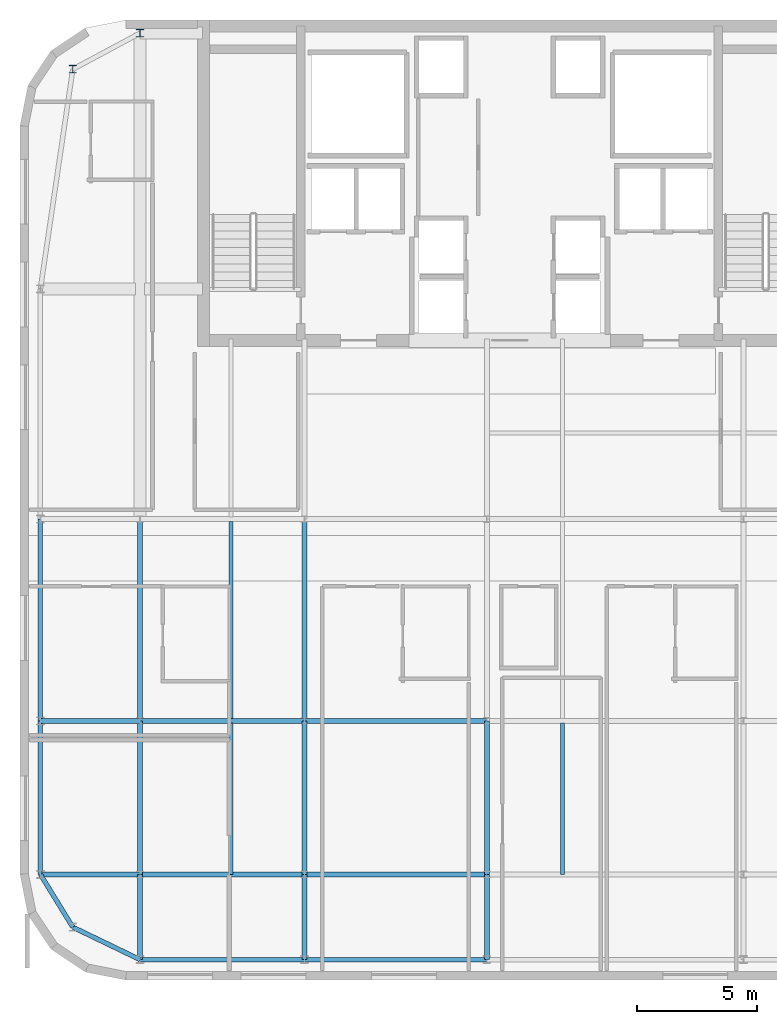
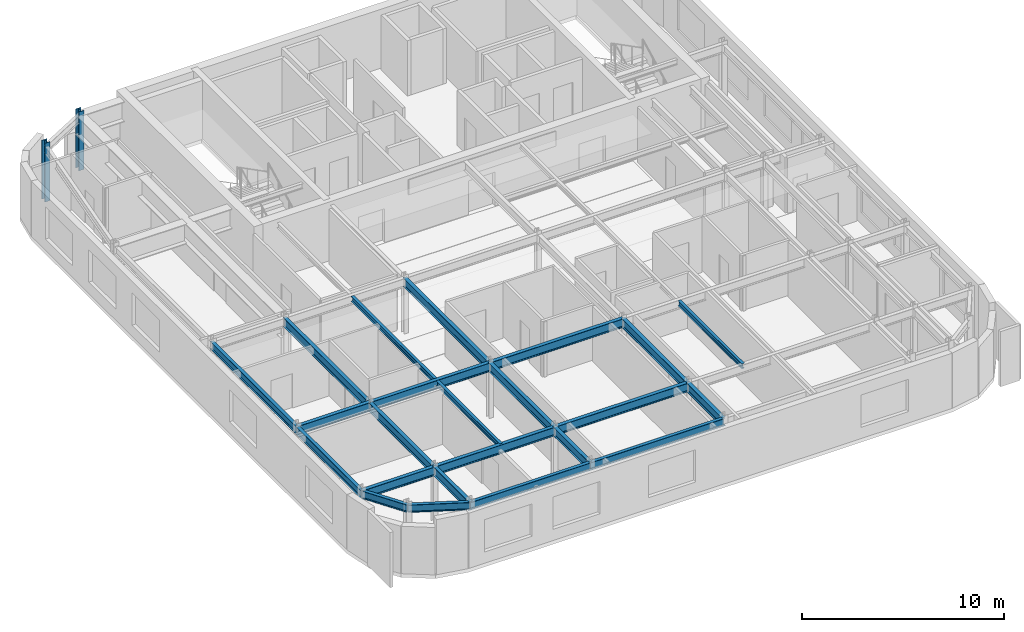
# One storey, part 4 of 12: 23 beams, 2 columns.
"""IFC4 building model written with IfcOpenShell, lengths in metres."""

from ifc_helpers import new_model, si_unit, direction, frame, origin, origin_2d, place, context, subcontext, project, spatial, i_section, extrude, source, transform, mapped, material, material_profile, profile_set, type_object, type_shapes, element, save


model = new_model("IFC4")

# Units and contexts
model_context = context("Model", 3, precision=1e-05, world=origin(), true_north=direction((0.0, 1.0)))
body_context = subcontext(model_context, "Body", "Model", "MODEL_VIEW")
ifc_project = project(units=[si_unit("LENGTHUNIT", "METRE"), si_unit("AREAUNIT", "SQUARE_METRE"), si_unit("VOLUMEUNIT", "CUBIC_METRE"), si_unit("PLANEANGLEUNIT", "RADIAN"), si_unit("MASSUNIT", "GRAM", prefix="KILO")], contexts=[model_context])

# Site, building, storey
site_placement = place(None, origin())
site = spatial("IfcSite", under=ifc_project, at=site_placement, CompositionType="ELEMENT")
building_placement = place(site_placement, origin())
building = spatial("IfcBuilding", under=site, at=building_placement, Name="Tolvann Quenvar Hotel", CompositionType="ELEMENT")
storey_placement = place(building_placement, frame((0.0, 0.0, 275.050048828125)))
storey = spatial("IfcBuildingStorey", under=building, at=storey_placement, Name="L73", CompositionType="ELEMENT", Elevation=275.050048828125)

# Columns
ifc_material = material(Name="Steel Grade 350", Category="steel")
ifc_material_profile_1 = material_profile(ifc_material, i_section(OverallWidth=0.306884765625, OverallDepth=0.31494140625, WebThickness=0.011962890625, FlangeThickness=0.018798828125, FilletRadius=0.0166015625, at=origin_2d()), Name="310UC118")
ifc_profile_set_1 = profile_set([ifc_material_profile_1], Name="Steel Grade 350")
column_type = type_object("IfcColumnType", Name="COL_310UC118", PredefinedType="COLUMN", material=ifc_profile_set_1)
shared_shape_1 = source(origin(), body_context, "Body", "SweptSolid", [
    extrude(i_section(OverallWidth=0.306884765625, OverallDepth=0.31494140625, WebThickness=0.011962890625, FlangeThickness=0.018798828125, FilletRadius=0.0166015625, at=origin_2d()), origin(), (0.0, 0.0, 1.0), 3.550048828125),
])
type_shapes(column_type, [shared_shape_1])
for number, where, z_axis, x_axis, name in (
    (1, (4.800048828125, 43.14990234375, 0.0), (0.0, 0.0, 1.0), (1.0, 0.0, 0.0), "Column BN (L73)"),
    (2, (7.60009765625, 44.64990234375, 0.0), (0.0, 0.0, 1.0), (1.0, 0.0, 0.0), "Column CN (L73)"),
):
    element("IfcColumn", number, at=place(storey_placement, frame(where, z_axis=z_axis, x_axis=x_axis)), inside=storey, type_object=column_type, Name=name, PredefinedType="COLUMN", context=body_context, shape_type="MappedRepresentation", body=[
        mapped(shared_shape_1, transform((0.0, 0.0, 0.0), x_axis=(1.0, 0.0, 0.0), y_axis=(0.0, 1.0, 0.0), z_axis=(0.0, 0.0, 1.0), scale=1.0)),
    ])

# Beams
ifc_material_profile_2 = material_profile(ifc_material, i_section(OverallWidth=0.208984375, OverallDepth=0.532958984375, WebThickness=0.01025390625, FlangeThickness=0.015625, FilletRadius=0.013916015625, at=origin_2d()), Name="530UB92")
ifc_profile_set_2 = profile_set([ifc_material_profile_2], Name="Steel Grade 350")
beam_type_1 = type_object("IfcBeamType", Name="BM_GIRD_530UB92", PredefinedType="BEAM", material=ifc_profile_set_2)
shared_shape_2 = source(origin(), body_context, "Body", "SweptSolid", [
    extrude(i_section(OverallWidth=0.208984375, OverallDepth=0.532958984375, WebThickness=0.01025390625, FlangeThickness=0.015625, FilletRadius=0.013916015625, at=origin_2d()), origin(), (0.0, 0.0, 1.0), 8.39990234375),
])
for number, where, z_axis, x_axis, name in (
    (3, (7.60009765625, 16.0, 3.0634765625), (0.0, 1.0, 0.0), (-1.0, 0.0, 0.0), "BM-L73-NS-C4-C5"),
    (4, (14.449951171875, 16.0, 3.0634765625), (0.0, 1.0, 0.0), (-1.0, 0.0, 0.0), "BM-L73-NS-D4-D5"),
):
    element("IfcBeam", number, at=place(storey_placement, frame(where, z_axis=z_axis, x_axis=x_axis)), inside=storey, type_object=beam_type_1, Name=name, PredefinedType="BEAM", context=body_context, shape_type="MappedRepresentation", body=[
        mapped(shared_shape_2, transform((0.0, 0.0, 0.0), x_axis=(1.0, 0.0, 0.0), y_axis=(0.0, 1.0, 0.0), z_axis=(0.0, 0.0, 1.0), scale=1.0)),
    ])
ifc_material_profile_3 = material_profile(ifc_material, i_section(OverallWidth=0.19091796875, OverallDepth=0.4599609375, WebThickness=0.010009765625, FlangeThickness=0.01611328125, FilletRadius=0.011474609375, at=origin_2d()), Name="460UB82")
ifc_profile_set_3 = profile_set([ifc_material_profile_3], Name="Steel Grade 350")
beam_type_2 = type_object("IfcBeamType", Name="BM_SPAND_460UB82", PredefinedType="SPANDREL", material=ifc_profile_set_3)
shared_shape_3 = source(origin(), body_context, "Body", "SweptSolid", [
    extrude(i_section(OverallWidth=0.19091796875, OverallDepth=0.4599609375, WebThickness=0.010009765625, FlangeThickness=0.01611328125, FilletRadius=0.011474609375, at=origin_2d()), origin(), (0.0, 0.0, 1.0), 8.39990234375),
])
beam_1_placement = place(storey_placement, frame((3.449951171875, 16.0, 3.099853515625), z_axis=(0.0, 1.0, 0.0), x_axis=(-1.0, 0.0, 0.0)))
element("IfcBeam", 5, at=beam_1_placement, inside=storey, type_object=beam_type_2, Name="BM-L73-NS-B4-B5", PredefinedType="SPANDREL", context=body_context, shape_type="MappedRepresentation", body=[
    mapped(shared_shape_3, transform((0.0, 0.0, 0.0), x_axis=(1.0, 0.0, 0.0), y_axis=(0.0, 1.0, 0.0), z_axis=(0.0, 0.0, 1.0), scale=1.0)),
])
shared_shape_4 = source(origin(), body_context, "Body", "SweptSolid", [
    extrude(i_section(OverallWidth=0.19091796875, OverallDepth=0.4599609375, WebThickness=0.010009765625, FlangeThickness=0.01611328125, FilletRadius=0.011474609375, at=origin_2d()), origin(), (0.0, 0.0, 1.0), 6.849853515625),
])
beam_2_placement = place(storey_placement, frame((7.60009765625, 6.050048828125, 3.099853515625), z_axis=(1.0, 0.0, 0.0), x_axis=(0.0, 1.0, 0.0)))
element("IfcBeam", 6, at=beam_2_placement, inside=storey, type_object=beam_type_2, Name="BM-L73-EW-2-C2-D2", PredefinedType="SPANDREL", context=body_context, shape_type="MappedRepresentation", body=[
    mapped(shared_shape_4, transform((0.0, 0.0, 0.0), x_axis=(1.0, 0.0, 0.0), y_axis=(0.0, 1.0, 0.0), z_axis=(0.0, 0.0, 1.0), scale=1.0)),
])
shared_shape_5 = source(origin(), body_context, "Body", "SweptSolid", [
    extrude(i_section(OverallWidth=0.208984375, OverallDepth=0.532958984375, WebThickness=0.01025390625, FlangeThickness=0.015625, FilletRadius=0.013916015625, at=origin_2d()), origin(), (0.0, 0.0, 1.0), 4.150146484375),
])
for number, where, z_axis, x_axis, name in (
    (7, (3.449951171875, 9.60009765625, 3.0634765625), (1.0, 0.0, 0.0), (0.0, 1.0, 0.0), "BM-L73-EW-3-B3-C3"),
    (8, (3.449951171875, 16.0, 3.0634765625), (1.0, 0.0, 0.0), (0.0, 1.0, 0.0), "BM-L73-EW-4-B4-C4"),
):
    element("IfcBeam", number, at=place(storey_placement, frame(where, z_axis=z_axis, x_axis=x_axis)), inside=storey, type_object=beam_type_1, Name=name, PredefinedType="BEAM", context=body_context, shape_type="MappedRepresentation", body=[
        mapped(shared_shape_5, transform((0.0, 0.0, 0.0), x_axis=(1.0, 0.0, 0.0), y_axis=(0.0, 1.0, 0.0), z_axis=(0.0, 0.0, 1.0), scale=1.0)),
    ])
shared_shape_6 = source(origin(), body_context, "Body", "SweptSolid", [
    extrude(i_section(OverallWidth=0.208984375, OverallDepth=0.532958984375, WebThickness=0.01025390625, FlangeThickness=0.015625, FilletRadius=0.013916015625, at=origin_2d()), origin(), (0.0, 0.0, 1.0), 6.849853515625),
])
for number, where, z_axis, x_axis, name in (
    (9, (7.60009765625, 9.60009765625, 3.0634765625), (1.0, 0.0, 0.0), (0.0, 1.0, 0.0), "BM-L73-EW-3-C3-D3"),
    (10, (7.60009765625, 16.0, 3.0634765625), (1.0, 0.0, 0.0), (0.0, 1.0, 0.0), "BM-L73-EW-4-C4-D4"),
):
    element("IfcBeam", number, at=place(storey_placement, frame(where, z_axis=z_axis, x_axis=x_axis)), inside=storey, type_object=beam_type_1, Name=name, PredefinedType="BEAM", context=body_context, shape_type="MappedRepresentation", body=[
        mapped(shared_shape_6, transform((0.0, 0.0, 0.0), x_axis=(1.0, 0.0, 0.0), y_axis=(0.0, 1.0, 0.0), z_axis=(0.0, 0.0, 1.0), scale=1.0)),
    ])
shared_shape_7 = source(origin(), body_context, "Body", "SweptSolid", [
    extrude(i_section(OverallWidth=0.208984375, OverallDepth=0.532958984375, WebThickness=0.01025390625, FlangeThickness=0.015625, FilletRadius=0.013916015625, at=origin_2d()), origin(), (0.0, 0.0, 1.0), 7.60009765625),
])
for number, where, z_axis, x_axis, name in (
    (11, (14.449951171875, 9.60009765625, 3.0634765625), (1.0, 0.0, 0.0), (0.0, 1.0, 0.0), "BM-L73-EW-3-D3-E3"),
    (12, (14.449951171875, 16.0, 3.0634765625), (1.0, 0.0, 0.0), (0.0, 1.0, 0.0), "BM-L73-EW-4-D4-E4"),
):
    element("IfcBeam", number, at=place(storey_placement, frame(where, z_axis=z_axis, x_axis=x_axis)), inside=storey, type_object=beam_type_1, Name=name, PredefinedType="BEAM", context=body_context, shape_type="MappedRepresentation", body=[
        mapped(shared_shape_7, transform((0.0, 0.0, 0.0), x_axis=(1.0, 0.0, 0.0), y_axis=(0.0, 1.0, 0.0), z_axis=(0.0, 0.0, 1.0), scale=1.0)),
    ])
ifc_material_profile_4 = material_profile(ifc_material, i_section(OverallWidth=0.166015625, OverallDepth=0.306884765625, WebThickness=0.006591796875, FlangeThickness=0.01171875, FilletRadius=0.011474609375, at=origin_2d()), Name="310UB46")
ifc_profile_set_4 = profile_set([ifc_material_profile_4], Name="Steel Grade 350")
beam_type_3 = type_object("IfcBeamType", Name="BM_JOIST_310UB46", PredefinedType="JOIST", material=ifc_profile_set_4)
shared_shape_8 = source(origin(), body_context, "Body", "SweptSolid", [
    extrude(i_section(OverallWidth=0.166015625, OverallDepth=0.306884765625, WebThickness=0.006591796875, FlangeThickness=0.01171875, FilletRadius=0.011474609375, at=origin_2d()), origin(), (0.0, 0.0, 1.0), 8.203125),
])
beam_3_placement = place(storey_placement, frame((11.39990234375, 16.098388671875, 3.176513671875), z_axis=(0.0, 1.0, 0.0), x_axis=(-1.0, 0.0, 0.0)))
element("IfcBeam", 13, at=beam_3_placement, inside=storey, type_object=beam_type_3, Name="BJ-L73-114-160", PredefinedType="JOIST", context=body_context, shape_type="MappedRepresentation", body=[
    mapped(shared_shape_8, transform((0.0, 0.0, 0.0), x_axis=(1.0, 0.0, 0.0), y_axis=(0.0, 1.0, 0.0), z_axis=(0.0, 0.0, 1.0), scale=1.0)),
])
shared_shape_9 = source(origin(), body_context, "Body", "SweptSolid", [
    extrude(i_section(OverallWidth=0.19091796875, OverallDepth=0.4599609375, WebThickness=0.010009765625, FlangeThickness=0.01611328125, FilletRadius=0.011474609375, at=origin_2d()), origin(), (0.0, 0.0, 1.0), 3.1083984375),
])
beam_4_placement = place(storey_placement, frame((4.800048828125, 7.39990234375, 3.099853515625), z_axis=(0.900790078459, -0.434254803715, 0.0), x_axis=(0.434254803715, 0.900790078459, 0.0)))
element("IfcBeam", 14, at=beam_4_placement, inside=storey, type_object=beam_type_2, Name="BM-L73-EW-2-B2-C2", PredefinedType="SPANDREL", context=body_context, shape_type="MappedRepresentation", body=[
    mapped(shared_shape_9, transform((0.0, 0.0, 0.0), x_axis=(1.0, 0.0, 0.0), y_axis=(0.0, 1.0, 0.0), z_axis=(0.0, 0.0, 1.0), scale=1.0)),
])
shared_shape_10 = source(origin(), body_context, "Body", "SweptSolid", [
    extrude(i_section(OverallWidth=0.19091796875, OverallDepth=0.4599609375, WebThickness=0.010009765625, FlangeThickness=0.01611328125, FilletRadius=0.011474609375, at=origin_2d()), origin(), (0.0, 0.0, 1.0), 7.60009765625),
])
beam_5_placement = place(storey_placement, frame((14.449951171875, 6.050048828125, 3.099853515625), z_axis=(1.0, 0.0, 0.0), x_axis=(0.0, 1.0, 0.0)))
element("IfcBeam", 15, at=beam_5_placement, inside=storey, type_object=beam_type_2, Name="BM-L73-EW-2-D2-E2", PredefinedType="SPANDREL", context=body_context, shape_type="MappedRepresentation", body=[
    mapped(shared_shape_10, transform((0.0, 0.0, 0.0), x_axis=(1.0, 0.0, 0.0), y_axis=(0.0, 1.0, 0.0), z_axis=(0.0, 0.0, 1.0), scale=1.0)),
])
shared_shape_11 = source(origin(), body_context, "Body", "SweptSolid", [
    extrude(i_section(OverallWidth=0.19091796875, OverallDepth=0.4599609375, WebThickness=0.010009765625, FlangeThickness=0.01611328125, FilletRadius=0.011474609375, at=origin_2d()), origin(), (0.0, 0.0, 1.0), 2.581298828125),
])
beam_6_placement = place(storey_placement, frame((4.800048828125, 7.39990234375, 3.099853515625), z_axis=(-0.523009973863, 0.852326561384, 0.0), x_axis=(-0.852326561384, -0.523009973863, 0.0)))
element("IfcBeam", 16, at=beam_6_placement, inside=storey, type_object=beam_type_2, Name="BM-L73-NS-B2-B3", PredefinedType="SPANDREL", context=body_context, shape_type="MappedRepresentation", body=[
    mapped(shared_shape_11, transform((0.0, 0.0, 0.0), x_axis=(1.0, 0.0, 0.0), y_axis=(0.0, 1.0, 0.0), z_axis=(0.0, 0.0, 1.0), scale=1.0)),
])
shared_shape_12 = source(origin(), body_context, "Body", "SweptSolid", [
    extrude(i_section(OverallWidth=0.19091796875, OverallDepth=0.4599609375, WebThickness=0.010009765625, FlangeThickness=0.01611328125, FilletRadius=0.011474609375, at=origin_2d()), origin(), (0.0, 0.0, 1.0), 6.39990234375),
])
type_shapes(beam_type_2, [shared_shape_3, shared_shape_4, shared_shape_9, shared_shape_10, shared_shape_11, shared_shape_12])
beam_7_placement = place(storey_placement, frame((3.449951171875, 9.60009765625, 3.099853515625), z_axis=(0.0, 1.0, 0.0), x_axis=(-1.0, 0.0, 0.0)))
element("IfcBeam", 17, at=beam_7_placement, inside=storey, type_object=beam_type_2, Name="BM-L73-NS-B3-B4", PredefinedType="SPANDREL", context=body_context, shape_type="MappedRepresentation", body=[
    mapped(shared_shape_12, transform((0.0, 0.0, 0.0), x_axis=(1.0, 0.0, 0.0), y_axis=(0.0, 1.0, 0.0), z_axis=(0.0, 0.0, 1.0), scale=1.0)),
])
shared_shape_13 = source(origin(), body_context, "Body", "SweptSolid", [
    extrude(i_section(OverallWidth=0.208984375, OverallDepth=0.532958984375, WebThickness=0.01025390625, FlangeThickness=0.015625, FilletRadius=0.013916015625, at=origin_2d()), origin(), (0.0, 0.0, 1.0), 3.550048828125),
])
for number, where, z_axis, x_axis, name in (
    (18, (7.60009765625, 6.050048828125, 3.0634765625), (0.0, 1.0, 0.0), (-1.0, 0.0, 0.0), "BM-L73-NS-C2-C3"),
    (19, (14.449951171875, 6.050048828125, 3.0634765625), (0.0, 1.0, 0.0), (-1.0, 0.0, 0.0), "BM-L73-NS-D2-D3"),
    (20, (22.050048828125, 6.050048828125, 3.0634765625), (0.0, 1.0, 0.0), (-1.0, 0.0, 0.0), "BM-L73-NS-E2-E3"),
):
    element("IfcBeam", number, at=place(storey_placement, frame(where, z_axis=z_axis, x_axis=x_axis)), inside=storey, type_object=beam_type_1, Name=name, PredefinedType="BEAM", context=body_context, shape_type="MappedRepresentation", body=[
        mapped(shared_shape_13, transform((0.0, 0.0, 0.0), x_axis=(1.0, 0.0, 0.0), y_axis=(0.0, 1.0, 0.0), z_axis=(0.0, 0.0, 1.0), scale=1.0)),
    ])
shared_shape_14 = source(origin(), body_context, "Body", "SweptSolid", [
    extrude(i_section(OverallWidth=0.208984375, OverallDepth=0.532958984375, WebThickness=0.01025390625, FlangeThickness=0.015625, FilletRadius=0.013916015625, at=origin_2d()), origin(), (0.0, 0.0, 1.0), 6.39990234375),
])
type_shapes(beam_type_1, [shared_shape_2, shared_shape_5, shared_shape_6, shared_shape_7, shared_shape_13, shared_shape_14])
for number, where, z_axis, x_axis, name in (
    (21, (7.60009765625, 9.60009765625, 3.0634765625), (0.0, 1.0, 0.0), (-1.0, 0.0, 0.0), "BM-L73-NS-C3-C4"),
    (22, (14.449951171875, 9.60009765625, 3.0634765625), (0.0, 1.0, 0.0), (-1.0, 0.0, 0.0), "BM-L73-NS-D3-D4"),
    (23, (22.050048828125, 9.60009765625, 3.0634765625), (0.0, 1.0, 0.0), (-1.0, 0.0, 0.0), "BM-L73-NS-E3-E4"),
):
    element("IfcBeam", number, at=place(storey_placement, frame(where, z_axis=z_axis, x_axis=x_axis)), inside=storey, type_object=beam_type_1, Name=name, PredefinedType="BEAM", context=body_context, shape_type="MappedRepresentation", body=[
        mapped(shared_shape_14, transform((0.0, 0.0, 0.0), x_axis=(1.0, 0.0, 0.0), y_axis=(0.0, 1.0, 0.0), z_axis=(0.0, 0.0, 1.0), scale=1.0)),
    ])
shared_shape_15 = source(origin(), body_context, "Body", "SweptSolid", [
    extrude(i_section(OverallWidth=0.166015625, OverallDepth=0.306884765625, WebThickness=0.006591796875, FlangeThickness=0.01171875, FilletRadius=0.011474609375, at=origin_2d()), origin(), (0.0, 0.0, 1.0), 6.301513671875),
])
type_shapes(beam_type_3, [shared_shape_8, shared_shape_15])
for number, where, z_axis, x_axis, name in (
    (24, (11.39990234375, 9.60009765625, 3.176513671875), (0.0, 1.0, 0.0), (-1.0, 0.0, 0.0), "BJ-L73-114-96"),
    (25, (25.199951171875, 9.60009765625, 3.176513671875), (0.0, 1.0, 0.0), (-1.0, 0.0, 0.0), "BJ-L73-252-96"),
):
    element("IfcBeam", number, at=place(storey_placement, frame(where, z_axis=z_axis, x_axis=x_axis)), inside=storey, type_object=beam_type_3, Name=name, PredefinedType="JOIST", context=body_context, shape_type="MappedRepresentation", body=[
        mapped(shared_shape_15, transform((0.0, 0.0, 0.0), x_axis=(1.0, 0.0, 0.0), y_axis=(0.0, 1.0, 0.0), z_axis=(0.0, 0.0, 1.0), scale=1.0)),
    ])

save(model, "model.ifc")
